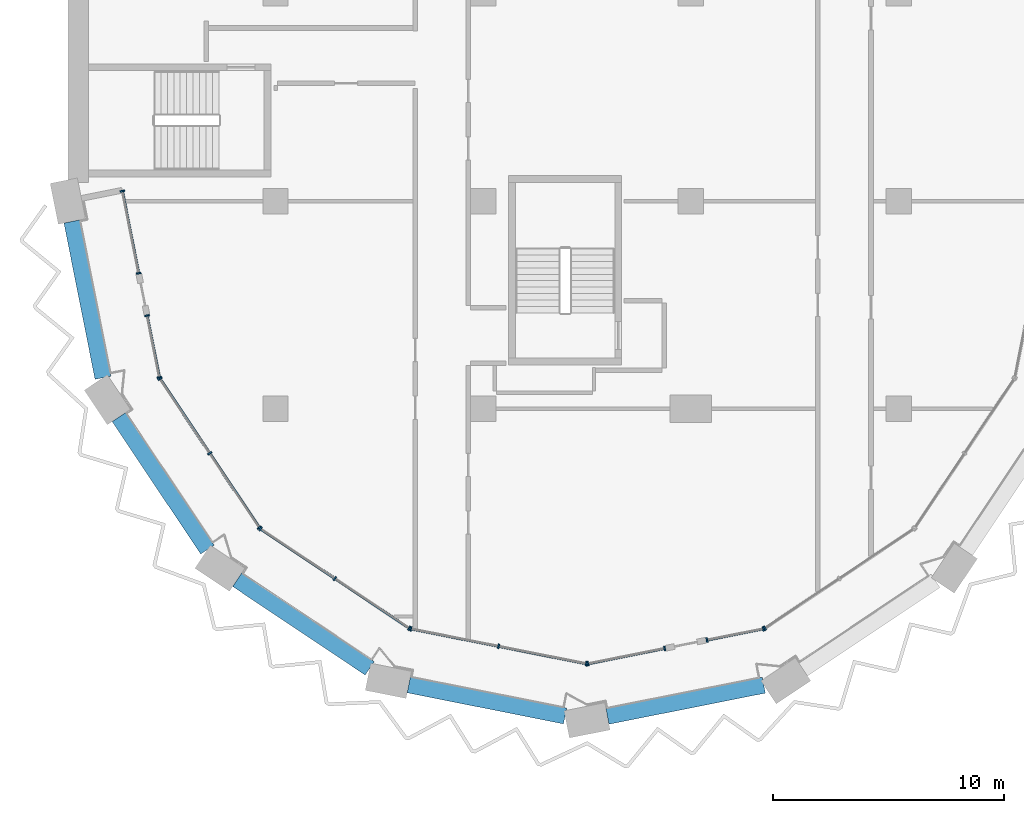
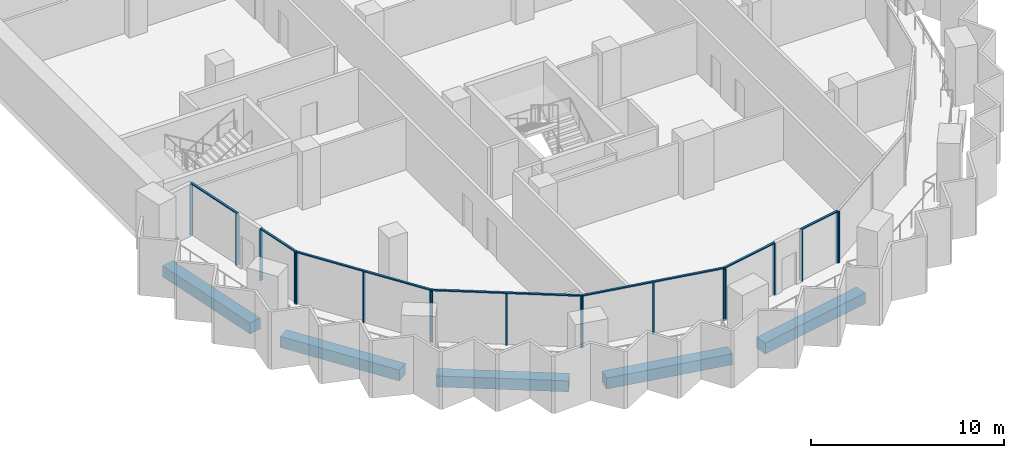
# One storey, part 2 of 17: 25 members, 5 beams, 8 elements without a shape of their own.
"""IFC4 building model written with IfcOpenShell, lengths in metres."""

from ifc_helpers import new_model, si_unit, direction, frame, origin, origin_2d, place, context, subcontext, project, spatial, rectangle, extrude, material, material_profile, profile_set, type_object, element, aggregate, save


model = new_model("IFC4")

# Units and contexts
model_context = context("Model", 3, precision=1e-05, world=origin(), true_north=direction((0.0, 1.0)))
body_context = subcontext(model_context, "Body", "Model", "MODEL_VIEW")
ifc_project = project(units=[si_unit("LENGTHUNIT", "METRE"), si_unit("AREAUNIT", "SQUARE_METRE"), si_unit("VOLUMEUNIT", "CUBIC_METRE"), si_unit("PLANEANGLEUNIT", "RADIAN"), si_unit("MASSUNIT", "GRAM", prefix="KILO")], contexts=[model_context])

# Site, building, storey
site_placement = place(None, origin())
site = spatial("IfcSite", under=ifc_project, at=site_placement, CompositionType="ELEMENT")
building_placement = place(site_placement, origin())
building = spatial("IfcBuilding", under=site, at=building_placement, Name="Hunhe Ridgeline Campus", CompositionType="ELEMENT")
storey_placement = place(building_placement, frame((0.0, 0.0, 190.199951171875)))
storey = spatial("IfcBuildingStorey", under=building, at=storey_placement, Name="L48", CompositionType="ELEMENT", Elevation=190.199951171875)

# Curtain wall, members
ifc_material_1 = material(Name="Aluminium 6063", Category="aluminium")
curtain_wall_type = type_object("IfcCurtainWallType", Name="Curtain wall CW-5", PredefinedType="NOTDEFINED", material=ifc_material_1)
curtain_wall_1_placement = place(storey_placement, origin())
curtain_wall_1 = element("IfcCurtainWall", 1, at=curtain_wall_1_placement, inside=storey, type_object=curtain_wall_type, Name="Curtain wall 01", PredefinedType="NOTDEFINED")
ifc_material_profile_1 = material_profile(ifc_material_1, rectangle(XDim=0.199951171875, YDim=0.070068359375, at=origin_2d()))
ifc_profile_set_1 = profile_set([ifc_material_profile_1], Name="Aluminium 6063")
member_type_1 = type_object("IfcMemberType", Name="CW-5 aluminium mullion", PredefinedType="MULLION", material=ifc_profile_set_1)
member_1_placement = place(storey_placement, frame((2.361572265625, 36.434326171875, 0.0), z_axis=(0.0, 0.0, 1.0), x_axis=(0.980784284924, 0.195095326561, 0.0)))
member_1 = element("IfcMember", 2, at=member_1_placement, type_object=member_type_1, Name="CW-5 mullion 1", PredefinedType="MULLION", context=body_context, shape_type="SweptSolid", body=[
    extrude(rectangle(XDim=0.199951171875, YDim=0.070068359375, at=origin_2d()), origin(), (0.0, 0.0, 1.0), 3.22998046875),
])
member_2_placement = place(storey_placement, frame((3.070068359375, 32.873291015625, 0.0), z_axis=(0.0, 0.0, 1.0), x_axis=(0.980784284924, 0.195095326561, 0.0)))
member_2 = element("IfcMember", 3, at=member_2_placement, type_object=member_type_1, Name="CW-5 mullion 2", PredefinedType="MULLION", context=body_context, shape_type="SweptSolid", body=[
    extrude(rectangle(XDim=0.199951171875, YDim=0.070068359375, at=origin_2d()), origin(), (0.0, 0.0, 1.0), 3.22998046875),
])

curtain_wall_2_placement = place(storey_placement, origin())
curtain_wall_2 = element("IfcCurtainWall", 4, at=curtain_wall_2_placement, inside=storey, type_object=curtain_wall_type, Name="Curtain wall 02", PredefinedType="NOTDEFINED")
member_3_placement = place(storey_placement, frame((3.434814453125, 31.0390625, 0.0), z_axis=(0.0, 0.0, 1.0), x_axis=(0.980784297053, 0.195095265587, 0.0)))
member_3 = element("IfcMember", 5, at=member_3_placement, type_object=member_type_1, Name="CW-5 mullion 1", PredefinedType="MULLION", context=body_context, shape_type="SweptSolid", body=[
    extrude(rectangle(XDim=0.199951171875, YDim=0.070068359375, at=origin_2d()), origin(), (0.0, 0.0, 1.0), 3.22998046875),
])
member_4_placement = place(storey_placement, frame((3.967529296875, 28.36083984375, 0.0), z_axis=(0.0, 0.0, 1.0), x_axis=(0.980784297053, 0.195095265587, 0.0)))
member_4 = element("IfcMember", 6, at=member_4_placement, type_object=member_type_1, Name="CW-5 mullion 2", PredefinedType="MULLION", context=body_context, shape_type="SweptSolid", body=[
    extrude(rectangle(XDim=0.199951171875, YDim=0.070068359375, at=origin_2d()), origin(), (0.0, 0.0, 1.0), 3.22998046875),
])

curtain_wall_3_placement = place(storey_placement, origin())
curtain_wall_3 = element("IfcCurtainWall", 7, at=curtain_wall_3_placement, inside=storey, type_object=curtain_wall_type, Name="Curtain wall 03", PredefinedType="NOTDEFINED")
member_5_placement = place(storey_placement, frame((3.993896484375, 28.29736328125, 0.0), z_axis=(0.0, 0.0, 1.0), x_axis=(0.831469584522, 0.555570274596, 0.0)))
member_5 = element("IfcMember", 8, at=member_5_placement, type_object=member_type_1, Name="CW-5 mullion 1", PredefinedType="MULLION", context=body_context, shape_type="SweptSolid", body=[
    extrude(rectangle(XDim=0.199951171875, YDim=0.070068359375, at=origin_2d()), origin(), (0.0, 0.0, 1.0), 3.22998046875),
])
member_6_placement = place(storey_placement, frame((6.147705078125, 25.07373046875, 0.0), z_axis=(0.0, 0.0, 1.0), x_axis=(0.831469584522, 0.555570274596, 0.0)))
member_6 = element("IfcMember", 9, at=member_6_placement, type_object=member_type_1, Name="CW-5 mullion 2", PredefinedType="MULLION", context=body_context, shape_type="SweptSolid", body=[
    extrude(rectangle(XDim=0.199951171875, YDim=0.070068359375, at=origin_2d()), origin(), (0.0, 0.0, 1.0), 3.22998046875),
])
member_7_placement = place(storey_placement, frame((8.3017578125, 21.850341796875, 0.0), z_axis=(0.0, 0.0, 1.0), x_axis=(0.831469584522, 0.555570274596, 0.0)))
member_7 = element("IfcMember", 10, at=member_7_placement, type_object=member_type_1, Name="CW-5 mullion 3", PredefinedType="MULLION", context=body_context, shape_type="SweptSolid", body=[
    extrude(rectangle(XDim=0.199951171875, YDim=0.070068359375, at=origin_2d()), origin(), (0.0, 0.0, 1.0), 3.22998046875),
])

curtain_wall_4_placement = place(storey_placement, origin())
curtain_wall_4 = element("IfcCurtainWall", 11, at=curtain_wall_4_placement, inside=storey, type_object=curtain_wall_type, Name="Curtain wall 04", PredefinedType="NOTDEFINED")
member_8_placement = place(storey_placement, frame((8.350341796875, 21.8017578125, 0.0), z_axis=(0.0, 0.0, 1.0), x_axis=(0.555570274596, 0.831469584522, 0.0)))
member_8 = element("IfcMember", 12, at=member_8_placement, type_object=member_type_1, Name="CW-5 mullion 1", PredefinedType="MULLION", context=body_context, shape_type="SweptSolid", body=[
    extrude(rectangle(XDim=0.199951171875, YDim=0.070068359375, at=origin_2d()), origin(), (0.0, 0.0, 1.0), 3.22998046875),
])
member_9_placement = place(storey_placement, frame((11.57373046875, 19.647705078125, 0.0), z_axis=(0.0, 0.0, 1.0), x_axis=(0.555570274596, 0.831469584522, 0.0)))
member_9 = element("IfcMember", 13, at=member_9_placement, type_object=member_type_1, Name="CW-5 mullion 2", PredefinedType="MULLION", context=body_context, shape_type="SweptSolid", body=[
    extrude(rectangle(XDim=0.199951171875, YDim=0.070068359375, at=origin_2d()), origin(), (0.0, 0.0, 1.0), 3.22998046875),
])
member_10_placement = place(storey_placement, frame((14.79736328125, 17.493896484375, 0.0), z_axis=(0.0, 0.0, 1.0), x_axis=(0.555570274596, 0.831469584522, 0.0)))
member_10 = element("IfcMember", 14, at=member_10_placement, type_object=member_type_1, Name="CW-5 mullion 3", PredefinedType="MULLION", context=body_context, shape_type="SweptSolid", body=[
    extrude(rectangle(XDim=0.199951171875, YDim=0.070068359375, at=origin_2d()), origin(), (0.0, 0.0, 1.0), 3.22998046875),
])

curtain_wall_5_placement = place(storey_placement, origin())
curtain_wall_5 = element("IfcCurtainWall", 15, at=curtain_wall_5_placement, inside=storey, type_object=curtain_wall_type, Name="Curtain wall 05", PredefinedType="NOTDEFINED")
member_11_placement = place(storey_placement, frame((14.86083984375, 17.467529296875, 0.0), z_axis=(0.0, 0.0, 1.0), x_axis=(0.195090347539, 0.980785275326, 0.0)))
member_11 = element("IfcMember", 16, at=member_11_placement, type_object=member_type_1, Name="CW-5 mullion 1", PredefinedType="MULLION", context=body_context, shape_type="SweptSolid", body=[
    extrude(rectangle(XDim=0.199951171875, YDim=0.070068359375, at=origin_2d()), origin(), (0.0, 0.0, 1.0), 3.22998046875),
])
member_12_placement = place(storey_placement, frame((18.663330078125, 16.711181640625, 0.0), z_axis=(0.0, 0.0, 1.0), x_axis=(0.195090347539, 0.980785275326, 0.0)))
member_12 = element("IfcMember", 17, at=member_12_placement, type_object=member_type_1, Name="CW-5 mullion 2", PredefinedType="MULLION", context=body_context, shape_type="SweptSolid", body=[
    extrude(rectangle(XDim=0.199951171875, YDim=0.070068359375, at=origin_2d()), origin(), (0.0, 0.0, 1.0), 3.22998046875),
])
member_13_placement = place(storey_placement, frame((22.465576171875, 15.954833984375, 0.0), z_axis=(0.0, 0.0, 1.0), x_axis=(0.195090347539, 0.980785275326, 0.0)))
member_13 = element("IfcMember", 18, at=member_13_placement, type_object=member_type_1, Name="CW-5 mullion 3", PredefinedType="MULLION", context=body_context, shape_type="SweptSolid", body=[
    extrude(rectangle(XDim=0.199951171875, YDim=0.070068359375, at=origin_2d()), origin(), (0.0, 0.0, 1.0), 3.22998046875),
])

curtain_wall_6_placement = place(storey_placement, origin())
curtain_wall_6 = element("IfcCurtainWall", 19, at=curtain_wall_6_placement, inside=storey, type_object=curtain_wall_type, Name="Curtain wall 06", PredefinedType="NOTDEFINED")
member_14_placement = place(storey_placement, frame((22.534423828125, 15.954833984375, 0.0), z_axis=(0.0, 0.0, 1.0), x_axis=(-0.19509037034, 0.980785270791, 0.0)))
member_14 = element("IfcMember", 20, at=member_14_placement, type_object=member_type_1, Name="CW-5 mullion 1", PredefinedType="MULLION", context=body_context, shape_type="SweptSolid", body=[
    extrude(rectangle(XDim=0.199951171875, YDim=0.070068359375, at=origin_2d()), origin(), (0.0, 0.0, 1.0), 3.22998046875),
])
member_15_placement = place(storey_placement, frame((25.861083984375, 16.61669921875, 0.0), z_axis=(0.0, 0.0, 1.0), x_axis=(-0.19509037034, 0.980785270791, 0.0)))
member_15 = element("IfcMember", 21, at=member_15_placement, type_object=member_type_1, Name="CW-5 mullion 2", PredefinedType="MULLION", context=body_context, shape_type="SweptSolid", body=[
    extrude(rectangle(XDim=0.199951171875, YDim=0.070068359375, at=origin_2d()), origin(), (0.0, 0.0, 1.0), 3.22998046875),
])

curtain_wall_7_placement = place(storey_placement, origin())
curtain_wall_7 = element("IfcCurtainWall", 22, at=curtain_wall_7_placement, inside=storey, type_object=curtain_wall_type, Name="Curtain wall 07", PredefinedType="NOTDEFINED")
member_16_placement = place(storey_placement, frame((27.695068359375, 16.9814453125, 0.0), z_axis=(0.0, 0.0, 1.0), x_axis=(-0.195090514627, 0.980785242091, 0.0)))
member_16 = element("IfcMember", 23, at=member_16_placement, type_object=member_type_1, Name="CW-5 mullion 1", PredefinedType="MULLION", context=body_context, shape_type="SweptSolid", body=[
    extrude(rectangle(XDim=0.199951171875, YDim=0.070068359375, at=origin_2d()), origin(), (0.0, 0.0, 1.0), 3.22998046875),
])
member_17_placement = place(storey_placement, frame((30.13916015625, 17.467529296875, 0.0), z_axis=(0.0, 0.0, 1.0), x_axis=(-0.195090514627, 0.980785242091, 0.0)))
member_17 = element("IfcMember", 24, at=member_17_placement, type_object=member_type_1, Name="CW-5 mullion 2", PredefinedType="MULLION", context=body_context, shape_type="SweptSolid", body=[
    extrude(rectangle(XDim=0.199951171875, YDim=0.070068359375, at=origin_2d()), origin(), (0.0, 0.0, 1.0), 3.22998046875),
])

# Curtain wall, member
curtain_wall_8_placement = place(storey_placement, origin())
curtain_wall_8 = element("IfcCurtainWall", 25, at=curtain_wall_8_placement, inside=storey, type_object=curtain_wall_type, Name="Curtain wall 08", PredefinedType="NOTDEFINED")
member_18_placement = place(storey_placement, frame((30.20263671875, 17.493896484375, 0.0), z_axis=(0.0, 0.0, 1.0), x_axis=(-0.555570274596, 0.831469584522, 0.0)))
member_18 = element("IfcMember", 26, at=member_18_placement, type_object=member_type_1, Name="CW-5 mullion 1", PredefinedType="MULLION", context=body_context, shape_type="SweptSolid", body=[
    extrude(rectangle(XDim=0.199951171875, YDim=0.070068359375, at=origin_2d()), origin(), (0.0, 0.0, 1.0), 3.22998046875),
])
aggregate(curtain_wall_8, [member_18])

# Member
ifc_material_profile_2 = material_profile(ifc_material_1, rectangle(XDim=0.1201171875, YDim=0.070068359375, at=origin_2d()))
ifc_profile_set_2 = profile_set([ifc_material_profile_2], Name="Aluminium 6063")
member_type_2 = type_object("IfcMemberType", Name="CW-5 aluminium transom", PredefinedType="USERDEFINED", material=ifc_profile_set_2)
member_19_placement = place(storey_placement, frame((2.354736328125, 36.46875, 3.26513671875), z_axis=(0.195126549745, -0.980778073564, 0.0), x_axis=(0.980778073564, 0.195126549745, 0.0)))
member_19 = element("IfcMember", 27, at=member_19_placement, type_object=member_type_2, Name="CW-5 transom 1", ObjectType="TRANSOM", PredefinedType="USERDEFINED", context=body_context, shape_type="SweptSolid", body=[
    extrude(rectangle(XDim=0.1201171875, YDim=0.070068359375, at=origin_2d()), origin(), (0.0, 0.0, 1.0), 3.700927734375),
])

aggregate(curtain_wall_1, [member_19, member_1, member_2])

member_20_placement = place(storey_placement, frame((3.427978515625, 31.073486328125, 3.26513671875), z_axis=(0.195076742145, -0.98078798151, 0.0), x_axis=(0.98078798151, 0.195076742145, 0.0)))
member_20 = element("IfcMember", 28, at=member_20_placement, type_object=member_type_2, Name="CW-5 transom 1", ObjectType="TRANSOM", PredefinedType="USERDEFINED", context=body_context, shape_type="SweptSolid", body=[
    extrude(rectangle(XDim=0.1201171875, YDim=0.070068359375, at=origin_2d()), origin(), (0.0, 0.0, 1.0), 2.80078125),
])

aggregate(curtain_wall_2, [member_20, member_3, member_4])

member_21_placement = place(storey_placement, frame((3.974365234375, 28.326416015625, 3.26513671875), z_axis=(0.5555640203, -0.831473763475, 0.0), x_axis=(0.831473763475, 0.5555640203, 0.0)))
member_21 = element("IfcMember", 29, at=member_21_placement, type_object=member_type_2, Name="CW-5 transom 1", ObjectType="TRANSOM", PredefinedType="USERDEFINED", context=body_context, shape_type="SweptSolid", body=[
    extrude(rectangle(XDim=0.1201171875, YDim=0.070068359375, at=origin_2d()), origin(), (0.0, 0.0, 1.0), 7.823974609375),
])

aggregate(curtain_wall_3, [member_21, member_5, member_6, member_7])

member_22_placement = place(storey_placement, frame((8.321044921875, 21.821044921875, 3.26513671875), z_axis=(0.831473763475, -0.5555640203, 0.0), x_axis=(0.5555640203, 0.831473763475, 0.0)))
member_22 = element("IfcMember", 30, at=member_22_placement, type_object=member_type_2, Name="CW-5 transom 1", ObjectType="TRANSOM", PredefinedType="USERDEFINED", context=body_context, shape_type="SweptSolid", body=[
    extrude(rectangle(XDim=0.1201171875, YDim=0.070068359375, at=origin_2d()), origin(), (0.0, 0.0, 1.0), 7.823974609375),
])

aggregate(curtain_wall_4, [member_22, member_8, member_9, member_10])

member_23_placement = place(storey_placement, frame((14.826416015625, 17.474365234375, 3.26513671875), z_axis=(0.980785367689, -0.195089883198, 0.0), x_axis=(0.195089883198, 0.980785367689, 0.0)))
member_23 = element("IfcMember", 31, at=member_23_placement, type_object=member_type_2, Name="CW-5 transom 1", ObjectType="TRANSOM", PredefinedType="USERDEFINED", context=body_context, shape_type="SweptSolid", body=[
    extrude(rectangle(XDim=0.1201171875, YDim=0.070068359375, at=origin_2d()), origin(), (0.0, 0.0, 1.0), 7.823974609375),
])

aggregate(curtain_wall_5, [member_23, member_11, member_12, member_13])

member_24_placement = place(storey_placement, frame((22.5, 15.947998046875, 3.26513671875), z_axis=(0.980778171596, 0.195126057004, 0.0), x_axis=(-0.195126057004, 0.980778171596, 0.0)))
member_24 = element("IfcMember", 32, at=member_24_placement, type_object=member_type_2, Name="CW-5 transom 1", ObjectType="TRANSOM", PredefinedType="USERDEFINED", context=body_context, shape_type="SweptSolid", body=[
    extrude(rectangle(XDim=0.1201171875, YDim=0.070068359375, at=origin_2d()), origin(), (0.0, 0.0, 1.0), 3.462158203125),
])

aggregate(curtain_wall_6, [member_24, member_14, member_15])

member_25_placement = place(storey_placement, frame((27.660888671875, 16.974609375, 3.26513671875), z_axis=(0.980789038007, 0.195071430315, 0.0), x_axis=(-0.195071430315, 0.980789038007, 0.0)))
member_25 = element("IfcMember", 33, at=member_25_placement, type_object=member_type_2, Name="CW-5 transom 1", ObjectType="TRANSOM", PredefinedType="USERDEFINED", context=body_context, shape_type="SweptSolid", body=[
    extrude(rectangle(XDim=0.1201171875, YDim=0.070068359375, at=origin_2d()), origin(), (0.0, 0.0, 1.0), 2.56201171875),
])

aggregate(curtain_wall_7, [member_25, member_16, member_17])

# Beams
ifc_material_2 = material(Name="Concrete C50", Category="concrete")
ifc_material_profile_3 = material_profile(ifc_material_2, rectangle(XDim=0.699951171875, YDim=0.699951171875, at=origin_2d()))
ifc_profile_set_3 = profile_set([ifc_material_profile_3], Name="Concrete C50")
beam_type = type_object("IfcBeamType", Name="RC spandrel beam 700x700 Concrete C50", PredefinedType="SPANDREL", material=ifc_profile_set_3)
for number, where, z_axis, x_axis, name in (
    (34, (0.175537109375, 35.1171875, -0.599853515625), (0.195102900975, -0.980782778209, 0.0), (0.980782778209, 0.195102900975, 0.0), "Spandrel beam B3-1 L48"),
    (35, (2.212646484375, 26.641357421875, -0.599853515625), (0.55557295, -0.831467796868, 0.0), (0.831467796868, 0.55557295, 0.0), "Spandrel beam B3-2 L48"),
    (36, (7.33837890625, 19.590087890625, -0.599853515625), (0.831467796868, -0.55557295, 0.0), (0.55557295, 0.831467796868, 0.0), "Spandrel beam B3-3 L48"),
    (37, (14.772216796875, 15.037109375, -0.599853515625), (0.980784124029, -0.195096135414, 0.0), (0.195096135414, 0.980784124029, 0.0), "Spandrel beam B3-4 L48"),
    (38, (23.3828125, 13.675537109375, -0.599853515625), (0.980782778209, 0.195102900975, 0.0), (-0.195102900975, 0.980782778209, 0.0), "Spandrel beam B3-5 L48"),
):
    element("IfcBeam", number, at=place(storey_placement, frame(where, z_axis=z_axis, x_axis=x_axis)), inside=storey, type_object=beam_type, Name=name, PredefinedType="SPANDREL", context=body_context, shape_type="SweptSolid", body=[
        extrude(rectangle(XDim=0.699951171875, YDim=0.699951171875, at=origin_2d()), origin(), (0.0, 0.0, 1.0), 6.905029296875),
    ])

save(model, "model.ifc")
